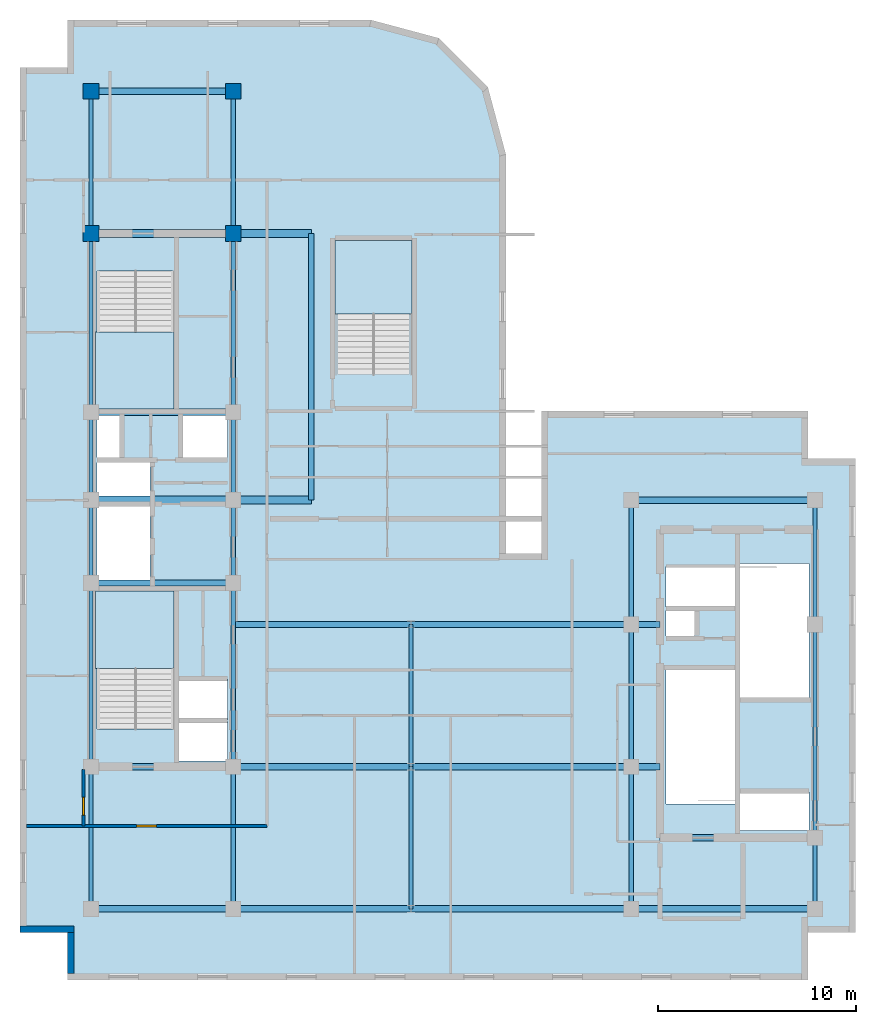
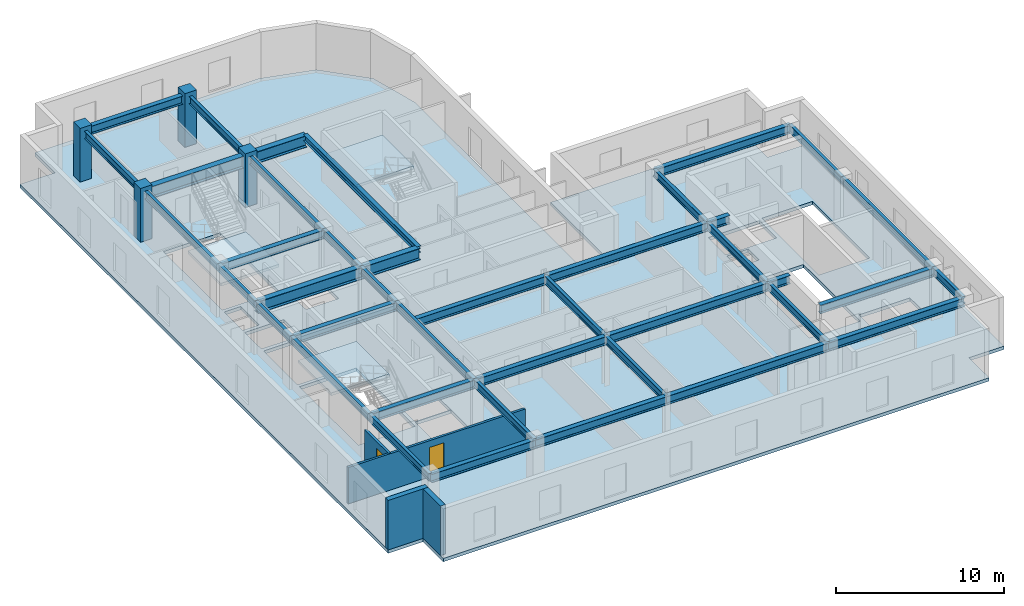
# One storey, part 2 of 10: 39 beams, 4 columns, 4 slabs, 4 walls, 2 doors, 2 openings, 3 elements without a shape of their own.
"""IFC4 building model written with IfcOpenShell, lengths in metres."""

from ifc_helpers import new_model, entity, si_unit, converted_unit, direction, frame, origin_with_axes, origin_2d_with_axis, place, context, subcontext, project, spatial, polyline, rectangle, i_section, outline, extrude, material, layer, layer_set, material_profile, profile_set, type_object, element, fill, aggregate, save


model = new_model("IFC4")

# Units and contexts
model_context = context("Model", 3, precision=1e-05, world=origin_with_axes(), true_north=direction((0.0, 1.0)))
body_context = subcontext(model_context, "Body", "Model", "MODEL_VIEW")
ifc_project = project(units=[si_unit("LENGTHUNIT", "METRE"), si_unit("AREAUNIT", "SQUARE_METRE"), si_unit("VOLUMEUNIT", "CUBIC_METRE"), converted_unit("PLANEANGLEUNIT", "DEGREE", entity("IfcPlaneAngleMeasure", 0.017453292519943295), si_unit("PLANEANGLEUNIT", "RADIAN"), dimensions=[0, 0, 0, 0, 0, 0, 0]), si_unit("MASSUNIT", "GRAM", prefix="KILO"), si_unit("THERMODYNAMICTEMPERATUREUNIT", "KELVIN")], contexts=[model_context])

# Site, building, storey
site_placement = place(None, origin_with_axes())
site = spatial("IfcSite", under=ifc_project, at=site_placement, CompositionType="ELEMENT")
building_placement = place(site_placement, origin_with_axes())
building = spatial("IfcBuilding", under=site, at=building_placement, Name="Varnlund Millrace Tower", CompositionType="ELEMENT")
storey_placement = place(building_placement, frame((0.0, 0.0, 284.1), z_axis=(0.0, 0.0, 1.0), x_axis=(1.0, 0.0, 0.0)))
storey = spatial("IfcBuildingStorey", under=building, at=storey_placement, Name="L70", CompositionType="ELEMENT", Elevation=284.1)

# Columns
ifc_material_1 = material(Name="Concrete C60/75", Category="concrete")
ifc_material_profile_1 = material_profile(ifc_material_1, rectangle(XDim=0.8, YDim=0.8, at=origin_2d_with_axis()), Name="Concrete C60/75")
ifc_profile_set_1 = profile_set([ifc_material_profile_1], Name="Concrete C60/75")
column_type = type_object("IfcColumnType", Name="Type-Col-RC800-C60", PredefinedType="COLUMN", material=ifc_profile_set_1)
for number, where, z_axis, x_axis, name in (
    (1, (11.4, 37.8, 0.0), (0.0, 0.0, 1.0), (1.0, 0.0, 0.0), "Type-Col-RC800-C60"),
    (2, (11.4, 45.0, 0.0), (0.0, 0.0, 1.0), (1.0, 0.0, 0.0), "Type-Col-RC800-C60"),
    (3, (18.6, 37.8, 0.0), (0.0, 0.0, 1.0), (1.0, 0.0, 0.0), "Type-Col-RC800-C60"),
    (4, (18.6, 45.0, 0.0), (0.0, 0.0, 1.0), (1.0, 0.0, 0.0), "Type-Col-RC800-C60"),
):
    element("IfcColumn", number, at=place(storey_placement, frame(where, z_axis=z_axis, x_axis=x_axis)), inside=storey, type_object=column_type, Name=name, PredefinedType="COLUMN", context=body_context, shape_type="SweptSolid", body=[
        extrude(rectangle(XDim=0.8, YDim=0.8, at=origin_2d_with_axis()), origin_with_axes(), (0.0, 0.0, 1.0), 3.9),
    ])

# Beams
ifc_material_2 = material(Name="Steel ASTM A992 Grade 50", Category="steel")
ifc_material_profile_2 = material_profile(ifc_material_2, i_section(OverallWidth=0.28, OverallDepth=0.463, WebThickness=0.0108, FlangeThickness=0.0173, FilletRadius=0.015, at=origin_2d_with_axis()), Name="Steel ASTM A992 Grade 50")
ifc_profile_set_2 = profile_set([ifc_material_profile_2], Name="Steel ASTM A992 Grade 50")
beam_type_1 = type_object("IfcBeamType", Name="Type-Beam-W18X76", PredefinedType="BEAM", material=ifc_profile_set_2)
beam_1_placement = place(storey_placement, frame((22.55, 24.3, 3.3685), z_axis=(0.0, 1.0, 0.0), x_axis=(-1.0, 0.0, 0.0)))
element("IfcBeam", 5, at=beam_1_placement, inside=storey, type_object=beam_type_1, Name="Type-Beam-W18X76", PredefinedType="BEAM", context=body_context, shape_type="SweptSolid", body=[
    extrude(i_section(OverallWidth=0.28, OverallDepth=0.463, WebThickness=0.0108, FlangeThickness=0.0173, FilletRadius=0.015, at=origin_2d_with_axis()), origin_with_axes(), (0.0, 0.0, 1.0), 13.5),
])
ifc_material_profile_3 = material_profile(ifc_material_2, i_section(OverallWidth=0.214, OverallDepth=0.549, WebThickness=0.0147, FlangeThickness=0.0236, FilletRadius=0.015, at=origin_2d_with_axis()), Name="Steel ASTM A992 Grade 50")
ifc_profile_set_3 = profile_set([ifc_material_profile_3], Name="Steel ASTM A992 Grade 50")
beam_type_2 = type_object("IfcBeamType", Name="Type-Beam-W21X93", PredefinedType="BEAM", material=ifc_profile_set_3)
beam_2_placement = place(storey_placement, frame((11.4, 3.6, 3.3255), z_axis=(0.0, 1.0, 0.0), x_axis=(-1.0, 0.0, 0.0)))
element("IfcBeam", 6, at=beam_2_placement, inside=storey, type_object=beam_type_2, Name="Type-Beam-W21X93", PredefinedType="BEAM", context=body_context, shape_type="SweptSolid", body=[
    extrude(i_section(OverallWidth=0.214, OverallDepth=0.549, WebThickness=0.0147, FlangeThickness=0.0236, FilletRadius=0.015, at=origin_2d_with_axis()), origin_with_axes(), (0.0, 0.0, 1.0), 7.2),
])
beam_3_placement = place(storey_placement, frame((11.4, 10.8, 3.3255), z_axis=(0.0, 1.0, 0.0), x_axis=(-1.0, 0.0, 0.0)))
element("IfcBeam", 7, at=beam_3_placement, inside=storey, type_object=beam_type_2, Name="Type-Beam-W21X93", PredefinedType="BEAM", context=body_context, shape_type="SweptSolid", body=[
    extrude(i_section(OverallWidth=0.214, OverallDepth=0.549, WebThickness=0.0147, FlangeThickness=0.0236, FilletRadius=0.015, at=origin_2d_with_axis()), origin_with_axes(), (0.0, 0.0, 1.0), 9.3),
])
beam_4_placement = place(storey_placement, frame((11.4, 20.1, 3.3255), z_axis=(0.0, 1.0, 0.0), x_axis=(-1.0, 0.0, 0.0)))
element("IfcBeam", 8, at=beam_4_placement, inside=storey, type_object=beam_type_2, Name="Type-Beam-W21X93", PredefinedType="BEAM", context=body_context, shape_type="SweptSolid", body=[
    extrude(i_section(OverallWidth=0.214, OverallDepth=0.549, WebThickness=0.0147, FlangeThickness=0.0236, FilletRadius=0.015, at=origin_2d_with_axis()), origin_with_axes(), (0.0, 0.0, 1.0), 4.2),
])
beam_5_placement = place(storey_placement, frame((11.4, 24.3, 3.3255), z_axis=(0.0, 1.0, 0.0), x_axis=(-1.0, 0.0, 0.0)))
element("IfcBeam", 9, at=beam_5_placement, inside=storey, type_object=beam_type_2, Name="Type-Beam-W21X93", PredefinedType="BEAM", context=body_context, shape_type="SweptSolid", body=[
    extrude(i_section(OverallWidth=0.214, OverallDepth=0.549, WebThickness=0.0147, FlangeThickness=0.0236, FilletRadius=0.015, at=origin_2d_with_axis()), origin_with_axes(), (0.0, 0.0, 1.0), 4.45),
])
beam_6_placement = place(storey_placement, frame((11.4, 28.75, 3.3255), z_axis=(0.0, 1.0, 0.0), x_axis=(-1.0, 0.0, 0.0)))
element("IfcBeam", 10, at=beam_6_placement, inside=storey, type_object=beam_type_2, Name="Type-Beam-W21X93", PredefinedType="BEAM", context=body_context, shape_type="SweptSolid", body=[
    extrude(i_section(OverallWidth=0.214, OverallDepth=0.549, WebThickness=0.0147, FlangeThickness=0.0236, FilletRadius=0.015, at=origin_2d_with_axis()), origin_with_axes(), (0.0, 0.0, 1.0), 9.05),
])
for number, where, z_axis, x_axis, name in (
    (11, (11.4, 37.8, 3.3255), (0.0, 1.0, 0.0), (-1.0, 0.0, 0.0), "Type-Beam-W21X93"),
    (12, (18.6, 3.6, 3.3255), (0.0, 1.0, 0.0), (-1.0, 0.0, 0.0), "Type-Beam-W21X93"),
):
    element("IfcBeam", number, at=place(storey_placement, frame(where, z_axis=z_axis, x_axis=x_axis)), inside=storey, type_object=beam_type_2, Name=name, PredefinedType="BEAM", context=body_context, shape_type="SweptSolid", body=[
        extrude(i_section(OverallWidth=0.214, OverallDepth=0.549, WebThickness=0.0147, FlangeThickness=0.0236, FilletRadius=0.015, at=origin_2d_with_axis()), origin_with_axes(), (0.0, 0.0, 1.0), 7.2),
    ])
beam_7_placement = place(storey_placement, frame((18.6, 10.8, 3.3255), z_axis=(0.0, 1.0, 0.0), x_axis=(-1.0, 0.0, 0.0)))
element("IfcBeam", 13, at=beam_7_placement, inside=storey, type_object=beam_type_2, Name="Type-Beam-W21X93", PredefinedType="BEAM", context=body_context, shape_type="SweptSolid", body=[
    extrude(i_section(OverallWidth=0.214, OverallDepth=0.549, WebThickness=0.0147, FlangeThickness=0.0236, FilletRadius=0.015, at=origin_2d_with_axis()), origin_with_axes(), (0.0, 0.0, 1.0), 9.3),
])
beam_8_placement = place(storey_placement, frame((18.6, 20.1, 3.3255), z_axis=(0.0, 1.0, 0.0), x_axis=(-1.0, 0.0, 0.0)))
element("IfcBeam", 14, at=beam_8_placement, inside=storey, type_object=beam_type_2, Name="Type-Beam-W21X93", PredefinedType="BEAM", context=body_context, shape_type="SweptSolid", body=[
    extrude(i_section(OverallWidth=0.214, OverallDepth=0.549, WebThickness=0.0147, FlangeThickness=0.0236, FilletRadius=0.015, at=origin_2d_with_axis()), origin_with_axes(), (0.0, 0.0, 1.0), 4.2),
])
beam_9_placement = place(storey_placement, frame((18.6, 24.3, 3.3255), z_axis=(0.0, 1.0, 0.0), x_axis=(-1.0, 0.0, 0.0)))
element("IfcBeam", 15, at=beam_9_placement, inside=storey, type_object=beam_type_2, Name="Type-Beam-W21X93", PredefinedType="BEAM", context=body_context, shape_type="SweptSolid", body=[
    extrude(i_section(OverallWidth=0.214, OverallDepth=0.549, WebThickness=0.0147, FlangeThickness=0.0236, FilletRadius=0.015, at=origin_2d_with_axis()), origin_with_axes(), (0.0, 0.0, 1.0), 4.45),
])
beam_10_placement = place(storey_placement, frame((18.6, 28.75, 3.3255), z_axis=(0.0, 1.0, 0.0), x_axis=(-1.0, 0.0, 0.0)))
element("IfcBeam", 16, at=beam_10_placement, inside=storey, type_object=beam_type_2, Name="Type-Beam-W21X93", PredefinedType="BEAM", context=body_context, shape_type="SweptSolid", body=[
    extrude(i_section(OverallWidth=0.214, OverallDepth=0.549, WebThickness=0.0147, FlangeThickness=0.0236, FilletRadius=0.015, at=origin_2d_with_axis()), origin_with_axes(), (0.0, 0.0, 1.0), 9.05),
])
for number, where, z_axis, x_axis, name in (
    (17, (18.6, 37.8, 3.3255), (0.0, 1.0, 0.0), (-1.0, 0.0, 0.0), "Type-Beam-W21X93"),
    (18, (27.6, 3.6, 3.3255), (0.0, 1.0, 0.0), (-1.0, 0.0, 0.0), "Type-Beam-W21X93"),
    (19, (27.6, 10.8, 3.3255), (0.0, 1.0, 0.0), (-1.0, 0.0, 0.0), "Type-Beam-W21X93"),
    (20, (38.75, 3.6, 3.3255), (0.0, 1.0, 0.0), (-1.0, 0.0, 0.0), "Type-Beam-W21X93"),
    (21, (38.75, 10.8, 3.3255), (0.0, 1.0, 0.0), (-1.0, 0.0, 0.0), "Type-Beam-W21X93"),
):
    element("IfcBeam", number, at=place(storey_placement, frame(where, z_axis=z_axis, x_axis=x_axis)), inside=storey, type_object=beam_type_2, Name=name, PredefinedType="BEAM", context=body_context, shape_type="SweptSolid", body=[
        extrude(i_section(OverallWidth=0.214, OverallDepth=0.549, WebThickness=0.0147, FlangeThickness=0.0236, FilletRadius=0.015, at=origin_2d_with_axis()), origin_with_axes(), (0.0, 0.0, 1.0), 7.2),
    ])
beam_11_placement = place(storey_placement, frame((38.75, 18.0, 3.3255), z_axis=(0.0, 1.0, 0.0), x_axis=(-1.0, 0.0, 0.0)))
element("IfcBeam", 22, at=beam_11_placement, inside=storey, type_object=beam_type_2, Name="Type-Beam-W21X93", PredefinedType="BEAM", context=body_context, shape_type="SweptSolid", body=[
    extrude(i_section(OverallWidth=0.214, OverallDepth=0.549, WebThickness=0.0147, FlangeThickness=0.0236, FilletRadius=0.015, at=origin_2d_with_axis()), origin_with_axes(), (0.0, 0.0, 1.0), 6.3),
])
beam_12_placement = place(storey_placement, frame((48.05, 3.6, 3.3255), z_axis=(0.0, 1.0, 0.0), x_axis=(-1.0, 0.0, 0.0)))
element("IfcBeam", 23, at=beam_12_placement, inside=storey, type_object=beam_type_2, Name="Type-Beam-W21X93", PredefinedType="BEAM", context=body_context, shape_type="SweptSolid", body=[
    extrude(i_section(OverallWidth=0.214, OverallDepth=0.549, WebThickness=0.0147, FlangeThickness=0.0236, FilletRadius=0.015, at=origin_2d_with_axis()), origin_with_axes(), (0.0, 0.0, 1.0), 3.6),
])
beam_13_placement = place(storey_placement, frame((48.05, 7.2, 3.3255), z_axis=(0.0, 1.0, 0.0), x_axis=(-1.0, 0.0, 0.0)))
element("IfcBeam", 24, at=beam_13_placement, inside=storey, type_object=beam_type_2, Name="Type-Beam-W21X93", PredefinedType="BEAM", context=body_context, shape_type="SweptSolid", body=[
    extrude(i_section(OverallWidth=0.214, OverallDepth=0.549, WebThickness=0.0147, FlangeThickness=0.0236, FilletRadius=0.015, at=origin_2d_with_axis()), origin_with_axes(), (0.0, 0.0, 1.0), 10.8),
])
beam_14_placement = place(storey_placement, frame((48.05, 18.0, 3.3255), z_axis=(0.0, 1.0, 0.0), x_axis=(-1.0, 0.0, 0.0)))
element("IfcBeam", 25, at=beam_14_placement, inside=storey, type_object=beam_type_2, Name="Type-Beam-W21X93", PredefinedType="BEAM", context=body_context, shape_type="SweptSolid", body=[
    extrude(i_section(OverallWidth=0.214, OverallDepth=0.549, WebThickness=0.0147, FlangeThickness=0.0236, FilletRadius=0.015, at=origin_2d_with_axis()), origin_with_axes(), (0.0, 0.0, 1.0), 6.3),
])
ifc_material_profile_4 = material_profile(ifc_material_2, i_section(OverallWidth=0.324, OverallDepth=0.611, WebThickness=0.0127, FlangeThickness=0.0191, FilletRadius=0.016, at=origin_2d_with_axis()), Name="Steel ASTM A992 Grade 50")
ifc_profile_set_4 = profile_set([ifc_material_profile_4], Name="Steel ASTM A992 Grade 50")
beam_type_3 = type_object("IfcBeamType", Name="Type-Girder-W24X104", PredefinedType="USERDEFINED", material=ifc_profile_set_4)
beam_15_placement = place(storey_placement, frame((11.4, 3.6, 3.2945), z_axis=(1.0, 0.0, 0.0), x_axis=(0.0, 1.0, 0.0)))
element("IfcBeam", 26, at=beam_15_placement, inside=storey, type_object=beam_type_3, Name="Type-Girder-W24X104", ObjectType="GIRDER", PredefinedType="USERDEFINED", context=body_context, shape_type="SweptSolid", body=[
    extrude(i_section(OverallWidth=0.324, OverallDepth=0.611, WebThickness=0.0127, FlangeThickness=0.0191, FilletRadius=0.016, at=origin_2d_with_axis()), origin_with_axes(), (0.0, 0.0, 1.0), 7.2),
])
beam_16_placement = place(storey_placement, frame((18.6, 3.6, 3.2945), z_axis=(1.0, 0.0, 0.0), x_axis=(0.0, 1.0, 0.0)))
element("IfcBeam", 27, at=beam_16_placement, inside=storey, type_object=beam_type_3, Name="Type-Girder-W24X104", ObjectType="GIRDER", PredefinedType="USERDEFINED", context=body_context, shape_type="SweptSolid", body=[
    extrude(i_section(OverallWidth=0.324, OverallDepth=0.611, WebThickness=0.0127, FlangeThickness=0.0191, FilletRadius=0.016, at=origin_2d_with_axis()), origin_with_axes(), (0.0, 0.0, 1.0), 9.0),
])
beam_17_placement = place(storey_placement, frame((27.6, 3.6, 3.2945), z_axis=(1.0, 0.0, 0.0), x_axis=(0.0, 1.0, 0.0)))
element("IfcBeam", 28, at=beam_17_placement, inside=storey, type_object=beam_type_3, Name="Type-Girder-W24X104", ObjectType="GIRDER", PredefinedType="USERDEFINED", context=body_context, shape_type="SweptSolid", body=[
    extrude(i_section(OverallWidth=0.324, OverallDepth=0.611, WebThickness=0.0127, FlangeThickness=0.0191, FilletRadius=0.016, at=origin_2d_with_axis()), origin_with_axes(), (0.0, 0.0, 1.0), 11.15),
])
beam_18_placement = place(storey_placement, frame((38.75, 3.6, 3.2945), z_axis=(1.0, 0.0, 0.0), x_axis=(0.0, 1.0, 0.0)))
element("IfcBeam", 29, at=beam_18_placement, inside=storey, type_object=beam_type_3, Name="Type-Girder-W24X104", ObjectType="GIRDER", PredefinedType="USERDEFINED", context=body_context, shape_type="SweptSolid", body=[
    extrude(i_section(OverallWidth=0.324, OverallDepth=0.611, WebThickness=0.0127, FlangeThickness=0.0191, FilletRadius=0.016, at=origin_2d_with_axis()), origin_with_axes(), (0.0, 0.0, 1.0), 9.3),
])
beam_19_placement = place(storey_placement, frame((40.2, 7.2, 3.2945), z_axis=(1.0, 0.0, 0.0), x_axis=(0.0, 1.0, 0.0)))
element("IfcBeam", 30, at=beam_19_placement, inside=storey, type_object=beam_type_3, Name="Type-Girder-W24X104", ObjectType="GIRDER", PredefinedType="USERDEFINED", context=body_context, shape_type="SweptSolid", body=[
    extrude(i_section(OverallWidth=0.324, OverallDepth=0.611, WebThickness=0.0127, FlangeThickness=0.0191, FilletRadius=0.016, at=origin_2d_with_axis()), origin_with_axes(), (0.0, 0.0, 1.0), 7.85),
])
beam_20_placement = place(storey_placement, frame((11.4, 10.8, 3.2945), z_axis=(1.0, 0.0, 0.0), x_axis=(0.0, 1.0, 0.0)))
element("IfcBeam", 31, at=beam_20_placement, inside=storey, type_object=beam_type_3, Name="Type-Girder-W24X104", ObjectType="GIRDER", PredefinedType="USERDEFINED", context=body_context, shape_type="SweptSolid", body=[
    extrude(i_section(OverallWidth=0.324, OverallDepth=0.611, WebThickness=0.0127, FlangeThickness=0.0191, FilletRadius=0.016, at=origin_2d_with_axis()), origin_with_axes(), (0.0, 0.0, 1.0), 7.2),
])
beam_21_placement = place(storey_placement, frame((18.6, 10.8, 3.2945), z_axis=(1.0, 0.0, 0.0), x_axis=(0.0, 1.0, 0.0)))
element("IfcBeam", 32, at=beam_21_placement, inside=storey, type_object=beam_type_3, Name="Type-Girder-W24X104", ObjectType="GIRDER", PredefinedType="USERDEFINED", context=body_context, shape_type="SweptSolid", body=[
    extrude(i_section(OverallWidth=0.324, OverallDepth=0.611, WebThickness=0.0127, FlangeThickness=0.0191, FilletRadius=0.016, at=origin_2d_with_axis()), origin_with_axes(), (0.0, 0.0, 1.0), 9.0),
])
beam_22_placement = place(storey_placement, frame((27.6, 10.8, 3.2945), z_axis=(1.0, 0.0, 0.0), x_axis=(0.0, 1.0, 0.0)))
element("IfcBeam", 33, at=beam_22_placement, inside=storey, type_object=beam_type_3, Name="Type-Girder-W24X104", ObjectType="GIRDER", PredefinedType="USERDEFINED", context=body_context, shape_type="SweptSolid", body=[
    extrude(i_section(OverallWidth=0.324, OverallDepth=0.611, WebThickness=0.0127, FlangeThickness=0.0191, FilletRadius=0.016, at=origin_2d_with_axis()), origin_with_axes(), (0.0, 0.0, 1.0), 11.15),
])
beam_23_placement = place(storey_placement, frame((38.75, 10.8, 3.2945), z_axis=(1.0, 0.0, 0.0), x_axis=(0.0, 1.0, 0.0)))
element("IfcBeam", 34, at=beam_23_placement, inside=storey, type_object=beam_type_3, Name="Type-Girder-W24X104", ObjectType="GIRDER", PredefinedType="USERDEFINED", context=body_context, shape_type="SweptSolid", body=[
    extrude(i_section(OverallWidth=0.324, OverallDepth=0.611, WebThickness=0.0127, FlangeThickness=0.0191, FilletRadius=0.016, at=origin_2d_with_axis()), origin_with_axes(), (0.0, 0.0, 1.0), 1.45),
])
beam_24_placement = place(storey_placement, frame((18.6, 18.0, 3.2945), z_axis=(1.0, 0.0, 0.0), x_axis=(0.0, 1.0, 0.0)))
element("IfcBeam", 35, at=beam_24_placement, inside=storey, type_object=beam_type_3, Name="Type-Girder-W24X104", ObjectType="GIRDER", PredefinedType="USERDEFINED", context=body_context, shape_type="SweptSolid", body=[
    extrude(i_section(OverallWidth=0.324, OverallDepth=0.611, WebThickness=0.0127, FlangeThickness=0.0191, FilletRadius=0.016, at=origin_2d_with_axis()), origin_with_axes(), (0.0, 0.0, 1.0), 9.0),
])
beam_25_placement = place(storey_placement, frame((27.6, 18.0, 3.2945), z_axis=(1.0, 0.0, 0.0), x_axis=(0.0, 1.0, 0.0)))
element("IfcBeam", 36, at=beam_25_placement, inside=storey, type_object=beam_type_3, Name="Type-Girder-W24X104", ObjectType="GIRDER", PredefinedType="USERDEFINED", context=body_context, shape_type="SweptSolid", body=[
    extrude(i_section(OverallWidth=0.324, OverallDepth=0.611, WebThickness=0.0127, FlangeThickness=0.0191, FilletRadius=0.016, at=origin_2d_with_axis()), origin_with_axes(), (0.0, 0.0, 1.0), 11.15),
])
beam_26_placement = place(storey_placement, frame((38.75, 18.0, 3.2945), z_axis=(1.0, 0.0, 0.0), x_axis=(0.0, 1.0, 0.0)))
element("IfcBeam", 37, at=beam_26_placement, inside=storey, type_object=beam_type_3, Name="Type-Girder-W24X104", ObjectType="GIRDER", PredefinedType="USERDEFINED", context=body_context, shape_type="SweptSolid", body=[
    extrude(i_section(OverallWidth=0.324, OverallDepth=0.611, WebThickness=0.0127, FlangeThickness=0.0191, FilletRadius=0.016, at=origin_2d_with_axis()), origin_with_axes(), (0.0, 0.0, 1.0), 1.45),
])
beam_27_placement = place(storey_placement, frame((11.4, 20.1, 3.2945), z_axis=(1.0, 0.0, 0.0), x_axis=(0.0, 1.0, 0.0)))
element("IfcBeam", 38, at=beam_27_placement, inside=storey, type_object=beam_type_3, Name="Type-Girder-W24X104", ObjectType="GIRDER", PredefinedType="USERDEFINED", context=body_context, shape_type="SweptSolid", body=[
    extrude(i_section(OverallWidth=0.324, OverallDepth=0.611, WebThickness=0.0127, FlangeThickness=0.0191, FilletRadius=0.016, at=origin_2d_with_axis()), origin_with_axes(), (0.0, 0.0, 1.0), 7.2),
])
beam_28_placement = place(storey_placement, frame((38.75, 24.3, 3.2945), z_axis=(1.0, 0.0, 0.0), x_axis=(0.0, 1.0, 0.0)))
element("IfcBeam", 39, at=beam_28_placement, inside=storey, type_object=beam_type_3, Name="Type-Girder-W24X104", ObjectType="GIRDER", PredefinedType="USERDEFINED", context=body_context, shape_type="SweptSolid", body=[
    extrude(i_section(OverallWidth=0.324, OverallDepth=0.611, WebThickness=0.0127, FlangeThickness=0.0191, FilletRadius=0.016, at=origin_2d_with_axis()), origin_with_axes(), (0.0, 0.0, 1.0), 9.3),
])
for number, where, z_axis, x_axis, name in (
    (40, (11.4, 28.75, 3.2945), (1.0, 0.0, 0.0), (0.0, 1.0, 0.0), "Type-Girder-W24X104"),
    (41, (11.4, 45.0, 3.2945), (1.0, 0.0, 0.0), (0.0, 1.0, 0.0), "Type-Girder-W24X104"),
):
    element("IfcBeam", number, at=place(storey_placement, frame(where, z_axis=z_axis, x_axis=x_axis)), inside=storey, type_object=beam_type_3, Name=name, ObjectType="GIRDER", PredefinedType="USERDEFINED", context=body_context, shape_type="SweptSolid", body=[
        extrude(i_section(OverallWidth=0.324, OverallDepth=0.611, WebThickness=0.0127, FlangeThickness=0.0191, FilletRadius=0.016, at=origin_2d_with_axis()), origin_with_axes(), (0.0, 0.0, 1.0), 7.2),
    ])
ifc_material_profile_5 = material_profile(ifc_material_2, i_section(OverallWidth=0.399, OverallDepth=0.855, WebThickness=0.0182, FlangeThickness=0.0292, FilletRadius=0.022, at=origin_2d_with_axis()), Name="Steel ASTM A992 Grade 50")
ifc_profile_set_5 = profile_set([ifc_material_profile_5], Name="Steel ASTM A992 Grade 50")
beam_type_4 = type_object("IfcBeamType", Name="Type-Girder-W33X201", PredefinedType="USERDEFINED", material=ifc_profile_set_5)
for number, where, z_axis, x_axis, name in (
    (42, (11.4, 24.3, 3.1725), (1.0, 0.0, 0.0), (0.0, 1.0, 0.0), "Type-Girder-W33X201"),
    (43, (11.4, 37.8, 3.1725), (1.0, 0.0, 0.0), (0.0, 1.0, 0.0), "Type-Girder-W33X201"),
):
    element("IfcBeam", number, at=place(storey_placement, frame(where, z_axis=z_axis, x_axis=x_axis)), inside=storey, type_object=beam_type_4, Name=name, ObjectType="GIRDER", PredefinedType="USERDEFINED", context=body_context, shape_type="SweptSolid", body=[
        extrude(i_section(OverallWidth=0.399, OverallDepth=0.855, WebThickness=0.0182, FlangeThickness=0.0292, FilletRadius=0.022, at=origin_2d_with_axis()), origin_with_axes(), (0.0, 0.0, 1.0), 11.15),
    ])

# Slab
ifc_layer_1 = layer(ifc_material_1, 0.24, Name="Concrete C60/75")
ifc_layer_set_1 = layer_set([ifc_layer_1], Name="Concrete C60/75")
slab_type_1 = type_object("IfcSlabType", Name="Type-Deck-Plate-Typical-240", PredefinedType="FLOOR", material=ifc_layer_set_1)
slab_1_placement = place(storey_placement, frame((0.0, 0.0, -0.24), z_axis=(0.0, 0.0, 1.0), x_axis=(1.0, 0.0, 0.0)))
element("IfcSlab", 44, at=slab_1_placement, inside=storey, type_object=slab_type_1, Name="Type-Deck-Plate-Typical-240", PredefinedType="FLOOR", context=body_context, shape_type="SweptSolid", body=[
    extrude(outline(polyline([(32.4, 21.6), (32.4, 41.8), (31.489, 45.2), (29.0, 47.689), (25.6, 48.6), (10.2, 48.6), (10.2, 46.2), (7.8, 46.2), (7.8, 2.4), (10.2, 2.4), (10.2, 0.0), (47.7, 0.0), (47.7, 2.4), (50.1, 2.4), (50.1, 26.4), (47.7, 26.4), (47.7, 28.8), (34.2, 28.8), (34.2, 21.6), (32.4, 21.6)]), holes=[polyline([(18.3, 13.1), (18.3, 11.1), (15.84, 11.1), (15.84, 13.1), (18.3, 13.1)]), polyline([(15.6, 12.715), (11.7, 12.715), (11.7, 19.7), (15.6, 19.7), (15.6, 12.715)]), polyline([(11.7, 19.94), (11.7, 23.98), (14.38, 23.98), (14.38, 19.94), (11.7, 19.94)]), polyline([(14.38, 24.24), (11.7, 24.24), (11.7, 26.2), (14.38, 26.2), (14.38, 24.24)]), polyline([(12.84, 26.46), (11.7, 26.46), (11.7, 28.65), (12.84, 28.65), (12.84, 26.46)]), polyline([(15.6, 28.9), (11.7, 28.9), (11.7, 35.885), (15.6, 35.885), (15.6, 28.9)]), polyline([(47.75, 9.52), (47.75, 7.58), (44.25, 7.58), (44.25, 9.52), (47.75, 9.52)]), polyline([(44.0, 8.915), (40.5, 8.915), (40.5, 15.7), (44.0, 15.7), (44.0, 8.915)]), polyline([(18.3, 13.16), (15.84, 13.16), (15.84, 15.24), (18.3, 15.24), (18.3, 13.16)]), polyline([(47.75, 14.3), (44.25, 14.3), (44.25, 21.085), (47.75, 21.085), (47.75, 14.3)]), polyline([(41.95, 17.42), (40.5, 17.42), (40.5, 18.72), (41.95, 18.72), (41.95, 17.42)]), polyline([(44.0, 18.88), (40.5, 18.88), (40.5, 20.94), (44.0, 20.94), (44.0, 18.88)]), polyline([(18.3, 26.46), (16.04, 26.46), (16.04, 28.65), (18.3, 28.65), (18.3, 26.46)])]), origin_with_axes(), (0.0, 0.0, 1.0), 0.24),
])

# Stair, slab
ifc_material_3 = material(Name="Concrete C50/60", Category="concrete")
stair_type = type_object("IfcStairType", Name="Type-Stair-Dogleg-185-390", PredefinedType="HALF_TURN_STAIR", material=ifc_material_3)
stair_1_placement = place(storey_placement, origin_with_axes())
stair_1 = element("IfcStair", 45, at=stair_1_placement, inside=storey, type_object=stair_type, Name="Type-Stair-Dogleg-185-390", PredefinedType="HALF_TURN_STAIR")
ifc_layer_2 = layer(ifc_material_3, 0.2, Name="Concrete C50/60")
ifc_layer_set_2 = layer_set([ifc_layer_2], Name="Concrete C50/60")
slab_type_2 = type_object("IfcSlabType", Name="Type-StairLanding-200", PredefinedType="LANDING", material=ifc_layer_set_2)
slab_2_placement = place(storey_placement, frame((0.0, 0.0, 1.75), z_axis=(0.0, 0.0, 1.0), x_axis=(1.0, 0.0, 0.0)))
slab_2 = element("IfcSlab", 46, at=slab_2_placement, type_object=slab_type_2, Name="ST-A1 landing 1", PredefinedType="LANDING", context=body_context, shape_type="SweptSolid", body=[
    extrude(outline(polyline([(15.6, 15.78), (15.6, 19.7), (11.61, 19.7), (11.61, 15.78), (15.6, 15.78)])), origin_with_axes(), (0.0, 0.0, 1.0), 0.2),
])
aggregate(stair_1, [slab_2])

stair_2_placement = place(storey_placement, origin_with_axes())
stair_2 = element("IfcStair", 47, at=stair_2_placement, inside=storey, type_object=stair_type, Name="Type-Stair-Dogleg-185-390", PredefinedType="HALF_TURN_STAIR")
slab_3_placement = place(storey_placement, frame((0.0, 0.0, 1.75), z_axis=(0.0, 0.0, 1.0), x_axis=(1.0, 0.0, 0.0)))
slab_3 = element("IfcSlab", 48, at=slab_3_placement, type_object=slab_type_2, Name="ST-A2 landing 1", PredefinedType="LANDING", context=body_context, shape_type="SweptSolid", body=[
    extrude(outline(polyline([(11.61, 32.82), (11.61, 28.9), (15.6, 28.9), (15.6, 32.82), (11.61, 32.82)])), origin_with_axes(), (0.0, 0.0, 1.0), 0.2),
])
aggregate(stair_2, [slab_3])

stair_3_placement = place(storey_placement, origin_with_axes())
stair_3 = element("IfcStair", 49, at=stair_3_placement, inside=storey, type_object=stair_type, Name="Type-Stair-Dogleg-185-390", PredefinedType="HALF_TURN_STAIR")
slab_4_placement = place(storey_placement, frame((0.0, 0.0, 1.75), z_axis=(0.0, 0.0, 1.0), x_axis=(1.0, 0.0, 0.0)))
slab_4 = element("IfcSlab", 50, at=slab_4_placement, type_object=slab_type_2, Name="ST-A3 landing 1", PredefinedType="LANDING", context=body_context, shape_type="SweptSolid", body=[
    extrude(outline(polyline([(27.65, 33.73), (27.65, 37.45), (23.75, 37.45), (23.75, 33.73), (27.65, 33.73)])), origin_with_axes(), (0.0, 0.0, 1.0), 0.2),
])
aggregate(stair_3, [slab_4])

# Walls
ifc_material_4 = material(Name="Precast concrete C50/60", Category="concrete")
ifc_layer_3 = layer(ifc_material_4, 0.34, Name="Precast concrete C50/60")
ifc_layer_set_3 = layer_set([ifc_layer_3], Name="Precast concrete C50/60")
wall_type_1 = type_object("IfcWallType", Name="Type-ExtWall-Precast-Upper-340", PredefinedType="SOLIDWALL", material=ifc_layer_set_3)
wall_1_placement = place(storey_placement, frame((10.37, 0.34, 0.0), z_axis=(0.0, 0.0, 1.0), x_axis=(0.0, 1.0, 0.0)))
element("IfcWall", 51, at=wall_1_placement, inside=storey, type_object=wall_type_1, Name="Type-ExtWall-Precast-Upper-340", PredefinedType="SOLIDWALL", context=body_context, shape_type="SweptSolid", body=[
    extrude(outline(polyline([(0.0, -0.17), (2.06, -0.17), (2.06, 0.17), (0.0, 0.17), (0.0, -0.17)])), origin_with_axes(), (0.0, 0.0, 1.0), 3.6),
])
wall_2_placement = place(storey_placement, frame((10.54, 2.57, 0.0), z_axis=(0.0, 0.0, 1.0), x_axis=(-1.0, 0.0, 0.0)))
element("IfcWall", 52, at=wall_2_placement, inside=storey, type_object=wall_type_1, Name="Type-ExtWall-Precast-Upper-340", PredefinedType="SOLIDWALL", context=body_context, shape_type="SweptSolid", body=[
    extrude(outline(polyline([(0.0, -0.17), (2.74, -0.17), (2.74, 0.17), (0.0, 0.17), (0.0, -0.17)])), origin_with_axes(), (0.0, 0.0, 1.0), 3.6),
])

# Wall, opening, door
ifc_material_5 = material(Name="Fire-rated gypsum board on cold-formed steel framing", Category="steel")
ifc_layer_4 = layer(ifc_material_5, 0.16, Name="Fire-rated gypsum board on cold-formed steel framing")
ifc_layer_set_4 = layer_set([ifc_layer_4], Name="Fire-rated gypsum board on cold-formed steel framing")
wall_type_2 = type_object("IfcWallType", Name="Type-Partition-Corridor-160", PredefinedType="PARTITIONING", material=ifc_layer_set_4)
wall_3_placement = place(storey_placement, frame((8.135, 7.8, 0.0), z_axis=(0.0, 0.0, 1.0), x_axis=(1.0, 0.0, 0.0)))
wall_3 = element("IfcWall", 53, at=wall_3_placement, inside=storey, type_object=wall_type_2, Name="Type-Partition-Corridor-160", PredefinedType="PARTITIONING", context=body_context, shape_type="SweptSolid", body=[
    extrude(outline(polyline([(0.0, -0.08), (12.165, -0.08), (12.165, 0.08), (0.0, 0.08), (0.0, -0.08)])), origin_with_axes(), (0.0, 0.0, 1.0), 2.64),
])
opening_1_placement = place(wall_3_placement, frame((6.065, 0.0, 0.0), z_axis=(0.0, 0.0, 1.0), x_axis=(1.0, 0.0, 0.0)))
opening_1 = element("IfcOpeningElement", 54, at=opening_1_placement, cuts=wall_3, Name="Opening L70:DR-WAS-01", PredefinedType="OPENING", context=body_context, shape_type="SweptSolid", body=[
    extrude(rectangle(XDim=1.0, YDim=0.18, at=origin_2d_with_axis()), origin_with_axes(), (0.0, 0.0, 1.0), 2.15),
])
ifc_material_6 = material(Name="Solid-core white oak and bronze frame door")
door_type_1 = type_object("IfcDoorType", Name="Type-IntDoor-Office-1000X2150", OperationType="NOTDEFINED", PredefinedType="DOOR", material=ifc_material_6)
door_1_placement = place(wall_3_placement, frame((6.065, 0.0, 0.0), z_axis=(0.0, 0.0, 1.0), x_axis=(1.0, 0.0, 0.0)))
door_1 = element("IfcDoor", 55, at=door_1_placement, inside=storey, type_object=door_type_1, Name="Type-IntDoor-Office-1000X2150", OperationType="SINGLE_SWING_LEFT", OverallHeight=2.15, OverallWidth=1.0, PredefinedType="DOOR", context=body_context, shape_type="SweptSolid", body=[
    extrude(rectangle(XDim=1.0, YDim=0.09, at=origin_2d_with_axis()), origin_with_axes(), (0.0, 0.0, 1.0), 2.15),
])
fill(opening_1, door_1)

wall_4_placement = place(storey_placement, frame((11.02, 7.8, 0.0), z_axis=(0.0, 0.0, 1.0), x_axis=(0.0, 1.0, 0.0)))
wall_4 = element("IfcWall", 56, at=wall_4_placement, inside=storey, type_object=wall_type_2, Name="Type-Partition-Corridor-160", PredefinedType="PARTITIONING", context=body_context, shape_type="SweptSolid", body=[
    extrude(outline(polyline([(0.0, -0.08), (2.85, -0.08), (2.85, 0.08), (0.0, 0.08), (0.0, -0.08)])), origin_with_axes(), (0.0, 0.0, 1.0), 2.64),
])
opening_2_placement = place(wall_4_placement, frame((1.0, 0.0, 0.0), z_axis=(0.0, 0.0, 1.0), x_axis=(1.0, 0.0, 0.0)))
opening_2 = element("IfcOpeningElement", 57, at=opening_2_placement, cuts=wall_4, Name="Opening L70:DR-WU-S1", PredefinedType="OPENING", context=body_context, shape_type="SweptSolid", body=[
    extrude(rectangle(XDim=0.9, YDim=0.18, at=origin_2d_with_axis()), origin_with_axes(), (0.0, 0.0, 1.0), 2.15),
])
ifc_material_7 = material(Name="Painted steel riser and closet door", Category="steel")
door_type_2 = type_object("IfcDoorType", Name="Type-IntDoor-Closet-900X2150", OperationType="NOTDEFINED", PredefinedType="DOOR", material=ifc_material_7)
door_2_placement = place(wall_4_placement, frame((1.0, 0.0, 0.0), z_axis=(0.0, 0.0, 1.0), x_axis=(1.0, 0.0, 0.0)))
door_2 = element("IfcDoor", 58, at=door_2_placement, inside=storey, type_object=door_type_2, Name="Type-IntDoor-Closet-900X2150", OperationType="SINGLE_SWING_LEFT", OverallHeight=2.15, OverallWidth=0.9, PredefinedType="DOOR", context=body_context, shape_type="SweptSolid", body=[
    extrude(rectangle(XDim=0.9, YDim=0.09, at=origin_2d_with_axis()), origin_with_axes(), (0.0, 0.0, 1.0), 2.15),
])
fill(opening_2, door_2)

save(model, "model.ifc")
